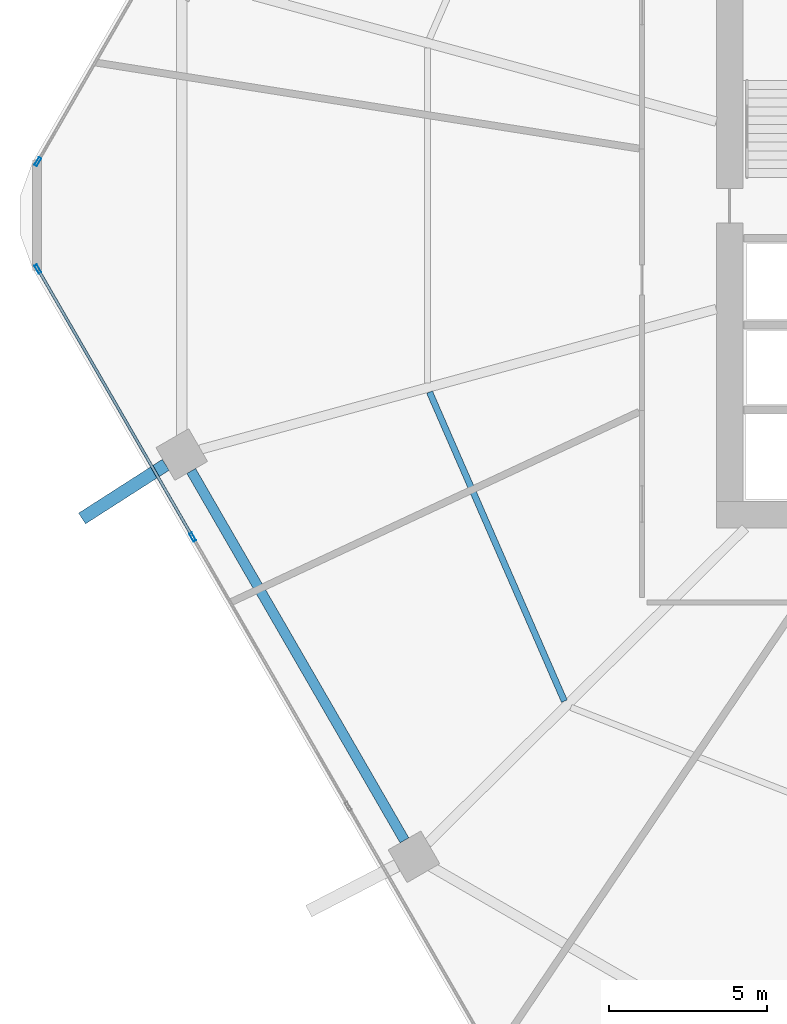
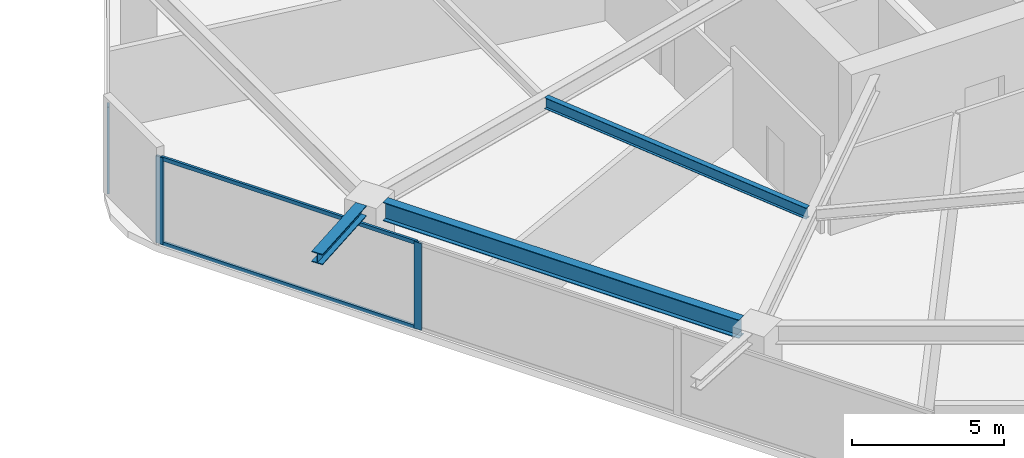
# One storey, part 5 of 25: 5 members, 3 beams, 2 elements without a shape of their own.
"""IFC4 building model written with IfcOpenShell, lengths in metres."""

import ifcopenshell
import ifcopenshell.guid

model = None  # the IFC model being written
_history = None  # IfcOwnerHistory: only IFC2X3 demands one
_inside = {}  # id of a spatial element -> (the spatial element, [elements in it])
_under = {}  # id of a project, library or spatial element -> (it, [spatial elements below it])
_declared = {}  # id of a project -> (the project, [libraries it declares])
_typed = {}  # id of a type object -> (the type object, [elements of that type])
_made_of = {}  # id of a material, layer set ... -> (it, [elements and type objects made of it])


def new_model(schema):
    """Start an empty IFC model of exactly this schema.

    Asked for "IFC4X3", IfcOpenShell would pick the latest addendum, in which some entities
    have other attributes; the version numbers below select the first issue.
    IFC2X3 requires an IfcOwnerHistory on every rooted entity: one is made here for all.
    """
    global model, _history
    if schema == "IFC4X3":
        model = ifcopenshell.file(schema_version=(4, 3, 0, 0))
    else:
        model = ifcopenshell.file(schema=schema)
    _inside.clear()
    _under.clear()
    _declared.clear()
    _typed.clear()
    _made_of.clear()
    _history = None
    if model.schema == "IFC2X3":
        org = make("IfcOrganization", Name="unknown")
        user = make(
            "IfcPersonAndOrganization",
            ThePerson=make("IfcPerson", FamilyName="unknown"),
            TheOrganization=org,
        )
        app = make(
            "IfcApplication",
            ApplicationDeveloper=org,
            Version="unknown",
            ApplicationFullName="unknown",
            ApplicationIdentifier="unknown",
        )
        _history = make(
            "IfcOwnerHistory",
            OwningUser=user,
            OwningApplication=app,
            ChangeAction="ADDED",
            CreationDate=0,
        )
    return model


def make(cls, **values):
    """One entity of the class cls with the attributes given. An attribute that is None is left unset."""
    return model.create_entity(
        cls, **{name: value for name, value in values.items() if value is not None}
    )


def rooted(cls, **values):
    """An entity with a GlobalId (a new one), such as an element, a storey or a relation."""
    return make(cls, GlobalId=ifcopenshell.guid.new(), OwnerHistory=_history, **values)


def si_unit(unit_type, name, prefix=None):
    """IfcSIUnit, for example si_unit("LENGTHUNIT", "METRE", prefix="MILLI")."""
    return make("IfcSIUnit", UnitType=unit_type, Prefix=prefix, Name=name)


def assignment(units):
    """IfcUnitAssignment: the units of a project."""
    return None if units is None else make("IfcUnitAssignment", Units=units)


def point(xyz):
    """IfcCartesianPoint."""
    return None if xyz is None else make("IfcCartesianPoint", Coordinates=xyz)


def direction(xyz):
    """IfcDirection."""
    return None if xyz is None else make("IfcDirection", DirectionRatios=xyz)


def frame(location, z_axis=None, x_axis=None):
    """IfcAxis2Placement3D, a coordinate frame: its origin and axes. An axis left out is left unset."""
    return make(
        "IfcAxis2Placement3D",
        Location=point(location),
        Axis=direction(z_axis),
        RefDirection=direction(x_axis),
    )


def frame_2d(location, x_axis=None):
    """IfcAxis2Placement2D, a coordinate frame in the plane: its origin and x axis."""
    return make(
        "IfcAxis2Placement2D", Location=point(location), RefDirection=direction(x_axis)
    )


def origin():
    """The frame at (0, 0, 0) with its axes left unset."""
    return frame((0.0, 0.0, 0.0))


def origin_2d():
    """The frame at (0, 0) in the plane with its x axis left unset."""
    return frame_2d((0.0, 0.0))


def place(relative_to, where):
    """IfcLocalPlacement: puts the frame where relative to a parent placement (None: the world)."""
    return make(
        "IfcLocalPlacement", PlacementRelTo=relative_to, RelativePlacement=where
    )


def context(
    kind, dimensions, precision=None, world=None, true_north=None, identifier=None
):
    """IfcGeometricRepresentationContext, for example the 3D "Model" context."""
    return make(
        "IfcGeometricRepresentationContext",
        ContextIdentifier=identifier,
        ContextType=kind,
        CoordinateSpaceDimension=dimensions,
        Precision=precision,
        WorldCoordinateSystem=world,
        TrueNorth=true_north,
    )


def subcontext(parent, identifier, kind, view, scale=None):
    """IfcGeometricRepresentationSubContext, for example "Body" below "Model"."""
    return make(
        "IfcGeometricRepresentationSubContext",
        ContextIdentifier=identifier,
        ContextType=kind,
        ParentContext=parent,
        TargetScale=scale,
        TargetView=view,
    )


def project(units=None, contexts=None):
    """IfcProject with its units and contexts."""
    return rooted(
        "IfcProject",
        Name="project",
        RepresentationContexts=contexts,
        UnitsInContext=assignment(units),
    )


def spatial(cls, under=None, at=None, **own):
    """A site, building, storey or space (cls), placed at a placement, below another one or the project."""
    s = rooted(cls, ObjectPlacement=at, **own)
    if under is not None:
        _under.setdefault(under.id(), (under, []))[1].append(s)
    return s


def profile(cls, at=None, kind="AREA", **sizes):
    """A parametric profile (cls). Its sizes go by their IFC names, for example OverallWidth=200.0."""
    return make(cls, ProfileType=kind, Position=at, **sizes)


def hollow_rectangle(**sizes):
    """IfcRectangleHollowProfileDef."""
    return profile("IfcRectangleHollowProfileDef", **sizes)


def i_section(**sizes):
    """IfcIShapeProfileDef."""
    return profile("IfcIShapeProfileDef", **sizes)


def extrude(swept, where, along, depth):
    """IfcExtrudedAreaSolid: the profile swept, set in the frame where, extruded along a direction by depth."""
    return make(
        "IfcExtrudedAreaSolid",
        SweptArea=swept,
        Position=where,
        ExtrudedDirection=direction(along),
        Depth=depth,
    )


def shape(context_of_items, identifier, shape_type, items):
    """IfcShapeRepresentation: the items that make up one representation, for example the "Body"."""
    return make(
        "IfcShapeRepresentation",
        ContextOfItems=context_of_items,
        RepresentationIdentifier=identifier,
        RepresentationType=shape_type,
        Items=items,
    )


def material(Name=None, Category=None):
    """IfcMaterial."""
    return make("IfcMaterial", Name=Name, Category=Category)


def material_profile(
    of_material, cross_section, Name=None, Category=None, Priority=None
):
    """IfcMaterialProfile: a cross section and its material."""
    return make(
        "IfcMaterialProfile",
        Name=Name,
        Material=of_material,
        Profile=cross_section,
        Priority=Priority,
        Category=Category,
    )


def profile_set(profiles, Name=None, composite=None):
    """IfcMaterialProfileSet."""
    return make(
        "IfcMaterialProfileSet",
        Name=Name,
        MaterialProfiles=profiles,
        CompositeProfile=composite,
    )


def made_of(thing, what):
    """Note that an element or type object is made of a material, layer set ...; save() writes the relation."""
    if what is not None:
        _made_of.setdefault(what.id(), (what, []))[1].append(thing)
    return thing


def type_object(cls, material=None, **own):
    """A type object (cls), such as IfcWallType, which elements share."""
    return made_of(rooted(cls, **own), material)


def element(
    cls,
    number,
    at=None,
    inside=None,
    cuts=None,
    type_object=None,
    material=None,
    context=None,
    identifier="Body",
    shape_type=None,
    held_by="IfcProductDefinitionShape",
    body=None,
    shapes=None,
    **own,
):
    """One element of the class cls, such as IfcWall. Its Tag is "e" and its number.

    at: its placement. inside: the storey or other place that contains it. cuts: it is an
    opening in that element (IfcRelVoidsElement). A single representation is given by context,
    identifier, shape_type and body (its items); several are given by shapes. held_by: the class
    of the entity that holds the representations. save() writes the other relations.
    """
    e = rooted(cls, Tag="e%d" % number, ObjectPlacement=at, **own)
    if body is not None:
        shapes = [shape(context, identifier, shape_type, body)]
    if shapes is not None:
        e.Representation = make(held_by, Representations=shapes)
    if inside is not None:
        _inside.setdefault(inside.id(), (inside, []))[1].append(e)
    if cuts is not None:
        rooted(
            "IfcRelVoidsElement", RelatingBuildingElement=cuts, RelatedOpeningElement=e
        )
    if type_object is not None:
        _typed.setdefault(type_object.id(), (type_object, []))[1].append(e)
    return made_of(e, material)


def aggregate(whole, parts):
    """IfcRelAggregates: a whole, such as a stair, and the parts it consists of."""
    return rooted("IfcRelAggregates", RelatingObject=whole, RelatedObjects=parts)


def save(model, path):
    """Write the relations noted so far, then the file.

    IfcRelAggregates (storeys below a building ...), IfcRelContainedInSpatialStructure (elements
    in a storey), IfcRelDefinesByType, IfcRelAssociatesMaterial and IfcRelDeclares: one each for
    every whole, place, type object, material and project.
    """
    for whole, parts in _under.values():
        aggregate(whole, parts)
    for where, things in _inside.values():
        rooted(
            "IfcRelContainedInSpatialStructure",
            RelatedElements=things,
            RelatingStructure=where,
        )
    for kind, things in _typed.values():
        rooted("IfcRelDefinesByType", RelatedObjects=things, RelatingType=kind)
    for what, things in _made_of.values():
        rooted("IfcRelAssociatesMaterial", RelatedObjects=things, RelatingMaterial=what)
    for by, libraries in _declared.values():
        rooted("IfcRelDeclares", RelatingContext=by, RelatedDefinitions=libraries)
    model.write(path)


model = new_model("IFC4")

# Units and contexts
model_context = context("Model", 3, precision=1e-05, world=origin(), true_north=direction((0.0, 1.0)))
body_context = subcontext(model_context, "Body", "Model", "MODEL_VIEW")
ifc_project = project(units=[si_unit("LENGTHUNIT", "METRE"), si_unit("AREAUNIT", "SQUARE_METRE"), si_unit("VOLUMEUNIT", "CUBIC_METRE"), si_unit("PLANEANGLEUNIT", "RADIAN"), si_unit("MASSUNIT", "GRAM", prefix="KILO")], contexts=[model_context])

# Site, building, storey
site_placement = place(None, origin())
site = spatial("IfcSite", under=ifc_project, at=site_placement, CompositionType="ELEMENT")
building_placement = place(site_placement, origin())
building = spatial("IfcBuilding", under=site, at=building_placement, Name="Zuhravey Tower", CompositionType="ELEMENT")
storey_placement = place(building_placement, frame((0.0, 0.0, 45.60009765625)))
storey = spatial("IfcBuildingStorey", under=building, at=storey_placement, Name="L11", CompositionType="ELEMENT", Elevation=45.60009765625)

# Curtain wall, members
ifc_material_1 = material(Name="Thermally broken anodised aluminium", Category="aluminium")
curtain_wall_type = type_object("IfcCurtainWallType", Name="School Low-E Unitised Curtain Wall CW1", PredefinedType="NOTDEFINED", material=ifc_material_1)
curtain_wall_1_placement = place(storey_placement, origin())
curtain_wall_1 = element("IfcCurtainWall", 1, at=curtain_wall_1_placement, inside=storey, type_object=curtain_wall_type, Name="L11 CW1 CW-L11-F4-1", PredefinedType="NOTDEFINED")
ifc_material_2 = material(Name="Anodised aluminium", Category="aluminium")
ifc_material_profile_1 = material_profile(ifc_material_2, hollow_rectangle(XDim=0.090087890625, YDim=0.284912109375, WallThickness=0.0048828125, at=origin_2d()), Name="ALU-RHS-90x285x5")
ifc_profile_set_1 = profile_set([ifc_material_profile_1], Name="Anodised aluminium")
member_type_1 = type_object("IfcMemberType", Name="Curtain-Wall Mullion 90x180", PredefinedType="MULLION", material=ifc_profile_set_1)
member_1_placement = place(storey_placement, frame((8.45458984375, 21.79296875, 0.0), z_axis=(0.0, 0.0, 1.0), x_axis=(-0.86602552265, -0.499999794119, 0.0)))
member_1 = element("IfcMember", 2, at=member_1_placement, type_object=member_type_1, Name="CW1 mullion 3", PredefinedType="MULLION", context=body_context, shape_type="SweptSolid", body=[
    extrude(hollow_rectangle(XDim=0.090087890625, YDim=0.284912109375, WallThickness=0.0048828125, at=origin_2d()), origin(), (0.0, 0.0, 1.0), 3.491943359375),
])
member_2_placement = place(storey_placement, frame((3.5439453125, 30.298583984375, 0.0), z_axis=(0.0, 0.0, 1.0), x_axis=(-0.86602552265, -0.499999794119, 0.0)))
member_2 = element("IfcMember", 3, at=member_2_placement, type_object=member_type_1, Name="CW1 mullion 4", PredefinedType="MULLION", context=body_context, shape_type="SweptSolid", body=[
    extrude(hollow_rectangle(XDim=0.090087890625, YDim=0.284912109375, WallThickness=0.0048828125, at=origin_2d()), origin(), (0.0, 0.0, 1.0), 3.491943359375),
])

# Curtain wall, member
curtain_wall_2_placement = place(storey_placement, origin())
curtain_wall_2 = element("IfcCurtainWall", 4, at=curtain_wall_2_placement, inside=storey, type_object=curtain_wall_type, Name="L11 CW1 CW-L11-F3-1", PredefinedType="NOTDEFINED")
member_3_placement = place(storey_placement, frame((3.5439453125, 33.701416015625, 0.0), z_axis=(0.0, 0.0, 1.0), x_axis=(-0.86602552265, 0.499999794119, 0.0)))
member_3 = element("IfcMember", 5, at=member_3_placement, type_object=member_type_1, Name="CW1 mullion 1", PredefinedType="MULLION", context=body_context, shape_type="SweptSolid", body=[
    extrude(hollow_rectangle(XDim=0.090087890625, YDim=0.284912109375, WallThickness=0.0048828125, at=origin_2d()), origin(), (0.0, 0.0, 1.0), 3.491943359375),
])
aggregate(curtain_wall_2, [member_3])

# Member
ifc_material_profile_2 = material_profile(ifc_material_2, hollow_rectangle(XDim=0.090087890625, YDim=0.14990234375, WallThickness=0.0048828125, at=origin_2d()), Name="ALU-RHS-90x150x5")
ifc_profile_set_2 = profile_set([ifc_material_profile_2], Name="Anodised aluminium")
member_type_2 = type_object("IfcMemberType", Name="Curtain-Wall Transom 90x150", PredefinedType="USERDEFINED", material=ifc_profile_set_2)
member_4_placement = place(storey_placement, frame((8.43212890625, 21.83203125, 0.044921875), z_axis=(-0.500008393077, 0.866020557985, 0.0), x_axis=(-0.866020557985, -0.500008393077, 0.0)))
member_4 = element("IfcMember", 6, at=member_4_placement, type_object=member_type_2, Name="CW1 transom 3.1", ObjectType="TRANSOM", PredefinedType="USERDEFINED", context=body_context, shape_type="SweptSolid", body=[
    extrude(hollow_rectangle(XDim=0.090087890625, YDim=0.14990234375, WallThickness=0.0048828125, at=origin_2d()), origin(), (0.0, 0.0, 1.0), 9.731201171875),
])

member_5_placement = place(storey_placement, frame((8.43212890625, 21.83203125, 3.447021484375), z_axis=(-0.500008393077, 0.866020557985, 0.0), x_axis=(-0.866020557985, -0.500008393077, 0.0)))
member_5 = element("IfcMember", 7, at=member_5_placement, type_object=member_type_2, Name="CW1 transom 3.2", ObjectType="TRANSOM", PredefinedType="USERDEFINED", context=body_context, shape_type="SweptSolid", body=[
    extrude(hollow_rectangle(XDim=0.090087890625, YDim=0.14990234375, WallThickness=0.0048828125, at=origin_2d()), origin(), (0.0, 0.0, 1.0), 9.731201171875),
])

aggregate(curtain_wall_1, [member_1, member_2, member_4, member_5])

# Beams
ifc_material_3 = material(Name="Steel SM460", Category="steel")
ifc_material_profile_3 = material_profile(ifc_material_3, i_section(OverallWidth=0.406982421875, OverallDepth=0.427978515625, WebThickness=0.02001953125, FlangeThickness=0.034912109375, at=origin_2d()), Name="H-428x407x20x35")
ifc_profile_set_3 = profile_set([ifc_material_profile_3], Name="Steel SM460")
beam_type_1 = type_object("IfcBeamType", Name="Exoskeleton Node Tie Beam H428x407", PredefinedType="BEAM", material=ifc_profile_set_3)
beam_1_placement = place(storey_placement, frame((7.60205078125, 24.08203125, 3.705810546875), z_axis=(-0.841731244747, -0.539896760147, 0.0), x_axis=(0.539896760147, -0.841731244747, 0.0)))
element("IfcBeam", 8, at=beam_1_placement, inside=storey, type_object=beam_type_1, Name="L11 Exoskeleton Node Tie NT1-07", PredefinedType="BEAM", context=body_context, shape_type="SweptSolid", body=[
    extrude(i_section(OverallWidth=0.406982421875, OverallDepth=0.427978515625, WebThickness=0.02001953125, FlangeThickness=0.034912109375, at=origin_2d()), origin(), (0.0, 0.0, 1.0), 3.154541015625),
])
ifc_material_4 = material(Name="Steel SM355", Category="steel")
ifc_material_profile_4 = material_profile(ifc_material_4, i_section(OverallWidth=0.320068359375, OverallDepth=0.75, WebThickness=0.013916015625, FlangeThickness=0.02490234375, at=origin_2d()), Name="H-750x320x14x25")
ifc_profile_set_4 = profile_set([ifc_material_profile_4], Name="Steel SM355")
beam_type_2 = type_object("IfcBeamType", Name="Perimeter Ring Beam H750x320", PredefinedType="BEAM", material=ifc_profile_set_4)
beam_2_placement = place(storey_placement, frame((8.412353515625, 23.88623046875, 3.544921875), z_axis=(0.499999877243, -0.866025474658, 0.0), x_axis=(0.866025474658, 0.499999877243, 0.0)))
element("IfcBeam", 9, at=beam_2_placement, inside=storey, type_object=beam_type_2, Name="L11 PB1 BM-L11-PB-07", PredefinedType="BEAM", context=body_context, shape_type="SweptSolid", body=[
    extrude(i_section(OverallWidth=0.320068359375, OverallDepth=0.75, WebThickness=0.013916015625, FlangeThickness=0.02490234375, at=origin_2d()), origin(), (0.0, 0.0, 1.0), 13.5341796875),
])
ifc_material_profile_5 = material_profile(ifc_material_4, i_section(OverallWidth=0.199951171875, OverallDepth=0.449951171875, WebThickness=0.009033203125, FlangeThickness=0.013916015625, at=origin_2d()), Name="H-450x200x9x14")
ifc_profile_set_5 = profile_set([ifc_material_profile_5], Name="Steel SM355")
beam_type_3 = type_object("IfcBeamType", Name="Secondary Floor Joist H450x200", PredefinedType="JOIST", material=ifc_profile_set_5)
beam_3_placement = place(storey_placement, frame((15.974609375, 26.39111328125, 3.69482421875), z_axis=(0.399923551578, -0.916548500022, 0.0), x_axis=(0.916548500022, 0.399923551578, 0.0)))
element("IfcBeam", 10, at=beam_3_placement, inside=storey, type_object=beam_type_3, Name="L11 SJ1 BM-L11-SJ-07-1", PredefinedType="JOIST", context=body_context, shape_type="SweptSolid", body=[
    extrude(i_section(OverallWidth=0.199951171875, OverallDepth=0.449951171875, WebThickness=0.009033203125, FlangeThickness=0.013916015625, at=origin_2d()), origin(), (0.0, 0.0, 1.0), 10.70263671875),
])

save(model, "model.ifc")
